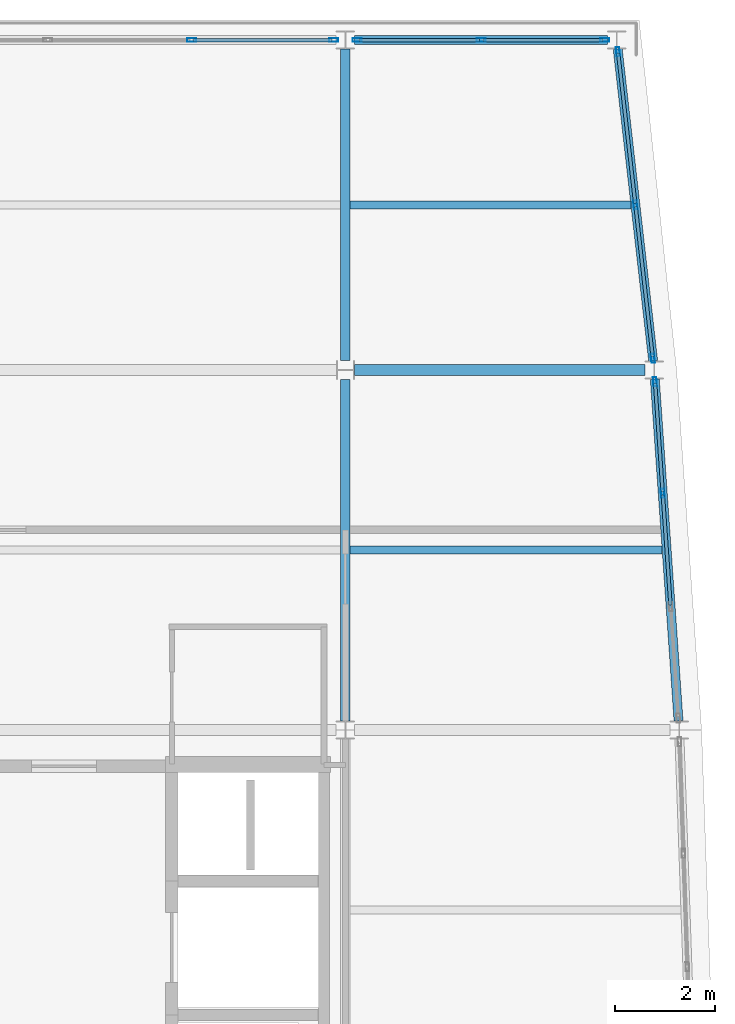
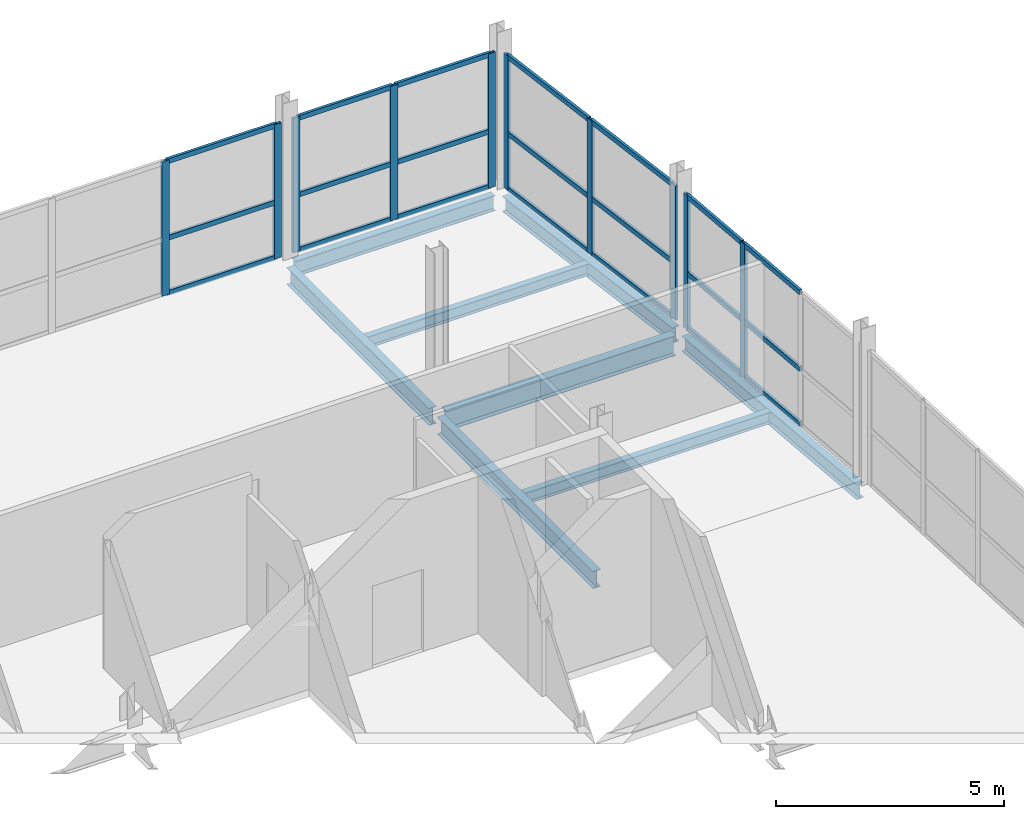
# One storey, part 9 of 16: 31 members, 8 beams, 4 elements without a shape of their own.
"""IFC4 building model written with IfcOpenShell, lengths in metres."""

from ifc_helpers import new_model, si_unit, direction, frame, origin, origin_2d, place, context, subcontext, project, spatial, hollow_rectangle, i_section, extrude, material, layer, layer_set, material_profile, profile_set, type_object, element, aggregate, save


model = new_model("IFC4")

# Units and contexts
model_context = context("Model", 3, precision=1e-05, world=origin(), true_north=direction((0.0, 1.0)))
body_context = subcontext(model_context, "Body", "Model", "MODEL_VIEW")
ifc_project = project(units=[si_unit("LENGTHUNIT", "METRE"), si_unit("AREAUNIT", "SQUARE_METRE"), si_unit("VOLUMEUNIT", "CUBIC_METRE"), si_unit("PLANEANGLEUNIT", "RADIAN"), si_unit("MASSUNIT", "GRAM", prefix="KILO")], contexts=[model_context])

# Site, building, storey
site_placement = place(None, origin())
site = spatial("IfcSite", under=ifc_project, at=site_placement, CompositionType="ELEMENT")
building_placement = place(site_placement, origin())
building = spatial("IfcBuilding", under=site, at=building_placement, Name="Quillay Park Conservatory", CompositionType="ELEMENT")
storey_placement = place(building_placement, frame((0.0, 0.0, 39.300048828125)))
storey = spatial("IfcBuildingStorey", under=building, at=storey_placement, Name="L09", CompositionType="ELEMENT", Elevation=39.300048828125)

# Beams
ifc_material_1 = material(Name="Steel ASTM A992 Grade 50", Category="steel")
ifc_material_profile_1 = material_profile(ifc_material_1, i_section(OverallWidth=0.166015625, OverallDepth=0.31298828125, WebThickness=0.006591796875, FlangeThickness=0.01123046875, FilletRadius=0.010009765625, at=origin_2d()), Name="W310x45")
ifc_profile_set_1 = profile_set([ifc_material_profile_1], Name="Steel ASTM A992 Grade 50")
beam_type_1 = type_object("IfcBeamType", Name="COMPOSITE FLOOR JOIST W310 X45", PredefinedType="JOIST", material=ifc_profile_set_1)
beam_1_placement = place(storey_placement, frame((19.845947265625, 103.199951171875, -0.3564453125), z_axis=(1.0, 0.0, 0.0), x_axis=(0.0, 1.0, 0.0)))
element("IfcBeam", 1, at=beam_1_placement, inside=storey, type_object=beam_type_1, Name="L09 beam BM-J-0701", PredefinedType="JOIST", context=body_context, shape_type="SweptSolid", body=[
    extrude(i_section(OverallWidth=0.166015625, OverallDepth=0.31298828125, WebThickness=0.006591796875, FlangeThickness=0.01123046875, FilletRadius=0.010009765625, at=origin_2d()), origin(), (0.0, 0.0, 1.0), 6.239013671875),
])
beam_2_placement = place(storey_placement, frame((19.845947265625, 110.10009765625, -0.3564453125), z_axis=(1.0, 0.0, 0.0), x_axis=(0.0, 1.0, 0.0)))
element("IfcBeam", 2, at=beam_2_placement, inside=storey, type_object=beam_type_1, Name="L09 beam BM-J-0708", PredefinedType="JOIST", context=body_context, shape_type="SweptSolid", body=[
    extrude(i_section(OverallWidth=0.166015625, OverallDepth=0.31298828125, WebThickness=0.006591796875, FlangeThickness=0.01123046875, FilletRadius=0.010009765625, at=origin_2d()), origin(), (0.0, 0.0, 1.0), 5.614013671875),
])

# Curtain wall, members
ifc_material_2 = material(Name="Thermally Broken Anodised Aluminium 6063-T6", Category="aluminium")
ifc_layer = layer(ifc_material_2, 0.179931640625)
ifc_layer_set = layer_set([ifc_layer], Name="UNITISED CURTAIN WALL TOWER (Thermally Broken Anodised Aluminium 6063-T6)")
curtain_wall_type = type_object("IfcCurtainWallType", Name="UNITISED CURTAIN WALL TOWER", PredefinedType="USERDEFINED", material=ifc_layer_set)
curtain_wall_1_placement = place(storey_placement, origin())
curtain_wall_1 = element("IfcCurtainWall", 3, at=curtain_wall_1_placement, inside=storey, type_object=curtain_wall_type, Name="L09 Unitised Curtain Wall 091", ObjectType="UNITISED CURTAIN WALL", PredefinedType="USERDEFINED")
ifc_material_3 = material(Name="Thermally Broken Anodised Aluminium 6063-T6", Category="aluminium")
ifc_material_profile_2 = material_profile(ifc_material_3, hollow_rectangle(XDim=0.070068359375, YDim=0.179931640625, WallThickness=0.00390625, at=origin_2d()), Name="AL70x180x4")
ifc_profile_set_2 = profile_set([ifc_material_profile_2], Name="Thermally Broken Anodised Aluminium 6063-T6")
member_type_1 = type_object("IfcMemberType", Name="CURTAIN WALL MULLION 70 X180", PredefinedType="MULLION", material=ifc_profile_set_2)
member_1_placement = place(storey_placement, frame((25.94140625, 106.565673828125, 0.0), z_axis=(0.0, 0.0, 1.0), x_axis=(0.99759835015, 0.069264217159, 0.0)))
member_1 = element("IfcMember", 4, at=member_1_placement, type_object=member_type_1, Name="CW-T1 mullion 1", PredefinedType="MULLION", context=body_context, shape_type="SweptSolid", body=[
    extrude(hollow_rectangle(XDim=0.070068359375, YDim=0.179931640625, WallThickness=0.00390625, at=origin_2d()), origin(), (0.0, 0.0, 1.0), 3.598876953125),
])
member_2_placement = place(storey_placement, frame((26.09619140625, 104.33349609375, 0.0), z_axis=(0.0, 0.0, 1.0), x_axis=(0.99759835015, 0.069264217159, 0.0)))
member_2 = element("IfcMember", 5, at=member_2_placement, type_object=member_type_1, Name="CW-T1 mullion 2", PredefinedType="MULLION", context=body_context, shape_type="SweptSolid", body=[
    extrude(hollow_rectangle(XDim=0.070068359375, YDim=0.179931640625, WallThickness=0.00390625, at=origin_2d()), origin(), (0.0, 0.0, 1.0), 3.598876953125),
])

curtain_wall_2_placement = place(storey_placement, origin())
curtain_wall_2 = element("IfcCurtainWall", 6, at=curtain_wall_2_placement, inside=storey, type_object=curtain_wall_type, Name="L09 Unitised Curtain Wall 092", ObjectType="UNITISED CURTAIN WALL", PredefinedType="USERDEFINED")
member_3_placement = place(storey_placement, frame((25.20166015625, 113.16650390625, 0.0), z_axis=(0.0, 0.0, 1.0), x_axis=(0.993605989969, 0.112903218278, 0.0)))
member_3 = element("IfcMember", 7, at=member_3_placement, type_object=member_type_1, Name="CW-T1 mullion 1", PredefinedType="MULLION", context=body_context, shape_type="SweptSolid", body=[
    extrude(hollow_rectangle(XDim=0.070068359375, YDim=0.179931640625, WallThickness=0.00390625, at=origin_2d()), origin(), (0.0, 0.0, 1.0), 3.598876953125),
])
member_4_placement = place(storey_placement, frame((25.550048828125, 110.10009765625, 0.0), z_axis=(0.0, 0.0, 1.0), x_axis=(0.993605989969, 0.112903218278, 0.0)))
member_4 = element("IfcMember", 8, at=member_4_placement, type_object=member_type_1, Name="CW-T1 mullion 2", PredefinedType="MULLION", context=body_context, shape_type="SweptSolid", body=[
    extrude(hollow_rectangle(XDim=0.070068359375, YDim=0.179931640625, WallThickness=0.00390625, at=origin_2d()), origin(), (0.0, 0.0, 1.0), 3.598876953125),
])
member_5_placement = place(storey_placement, frame((25.8984375, 107.033447265625, 0.0), z_axis=(0.0, 0.0, 1.0), x_axis=(0.993605989969, 0.112903218278, 0.0)))
member_5 = element("IfcMember", 9, at=member_5_placement, type_object=member_type_1, Name="CW-T1 mullion 3", PredefinedType="MULLION", context=body_context, shape_type="SweptSolid", body=[
    extrude(hollow_rectangle(XDim=0.070068359375, YDim=0.179931640625, WallThickness=0.00390625, at=origin_2d()), origin(), (0.0, 0.0, 1.0), 3.598876953125),
])

curtain_wall_3_placement = place(storey_placement, origin())
curtain_wall_3 = element("IfcCurtainWall", 10, at=curtain_wall_3_placement, inside=storey, type_object=curtain_wall_type, Name="L09 Unitised Curtain Wall 094", ObjectType="UNITISED CURTAIN WALL", PredefinedType="USERDEFINED")
member_6_placement = place(storey_placement, frame((16.675048828125, 113.39990234375, 0.0), z_axis=(0.0, 0.0, 1.0), x_axis=(0.0, 1.0, 0.0)))
member_6 = element("IfcMember", 11, at=member_6_placement, type_object=member_type_1, Name="CW-T1 mullion 4", PredefinedType="MULLION", context=body_context, shape_type="SweptSolid", body=[
    extrude(hollow_rectangle(XDim=0.070068359375, YDim=0.179931640625, WallThickness=0.00390625, at=origin_2d()), origin(), (0.0, 0.0, 1.0), 3.598876953125),
])
member_7_placement = place(storey_placement, frame((19.514892578125, 113.39990234375, 0.0), z_axis=(0.0, 0.0, 1.0), x_axis=(0.0, 1.0, 0.0)))
member_7 = element("IfcMember", 12, at=member_7_placement, type_object=member_type_1, Name="CW-T1 mullion 5", PredefinedType="MULLION", context=body_context, shape_type="SweptSolid", body=[
    extrude(hollow_rectangle(XDim=0.070068359375, YDim=0.179931640625, WallThickness=0.00390625, at=origin_2d()), origin(), (0.0, 0.0, 1.0), 3.598876953125),
])

curtain_wall_4_placement = place(storey_placement, origin())
curtain_wall_4 = element("IfcCurtainWall", 13, at=curtain_wall_4_placement, inside=storey, type_object=curtain_wall_type, Name="L09 Unitised Curtain Wall 095", ObjectType="UNITISED CURTAIN WALL", PredefinedType="USERDEFINED")
member_8_placement = place(storey_placement, frame((19.985107421875, 113.39990234375, 0.0), z_axis=(0.0, 0.0, 1.0), x_axis=(0.0, 1.0, 0.0)))
member_8 = element("IfcMember", 14, at=member_8_placement, type_object=member_type_1, Name="CW-T1 mullion 1", PredefinedType="MULLION", context=body_context, shape_type="SweptSolid", body=[
    extrude(hollow_rectangle(XDim=0.070068359375, YDim=0.179931640625, WallThickness=0.00390625, at=origin_2d()), origin(), (0.0, 0.0, 1.0), 3.598876953125),
])
member_9_placement = place(storey_placement, frame((22.46240234375, 113.39990234375, 0.0), z_axis=(0.0, 0.0, 1.0), x_axis=(0.0, 1.0, 0.0)))
member_9 = element("IfcMember", 15, at=member_9_placement, type_object=member_type_1, Name="CW-T1 mullion 2", PredefinedType="MULLION", context=body_context, shape_type="SweptSolid", body=[
    extrude(hollow_rectangle(XDim=0.070068359375, YDim=0.179931640625, WallThickness=0.00390625, at=origin_2d()), origin(), (0.0, 0.0, 1.0), 3.598876953125),
])
member_10_placement = place(storey_placement, frame((24.93994140625, 113.39990234375, 0.0), z_axis=(0.0, 0.0, 1.0), x_axis=(0.0, 1.0, 0.0)))
member_10 = element("IfcMember", 16, at=member_10_placement, type_object=member_type_1, Name="CW-T1 mullion 3", PredefinedType="MULLION", context=body_context, shape_type="SweptSolid", body=[
    extrude(hollow_rectangle(XDim=0.070068359375, YDim=0.179931640625, WallThickness=0.00390625, at=origin_2d()), origin(), (0.0, 0.0, 1.0), 3.598876953125),
])

# Member
ifc_material_4 = material(Name="Thermally Broken Anodised Aluminium 6063-T6", Category="aluminium")
ifc_material_profile_3 = material_profile(ifc_material_4, hollow_rectangle(XDim=0.070068359375, YDim=0.1298828125, WallThickness=0.003173828125, at=origin_2d()), Name="AL70x130x3.2")
ifc_profile_set_3 = profile_set([ifc_material_profile_3], Name="Thermally Broken Anodised Aluminium 6063-T6")
member_type_2 = type_object("IfcMemberType", Name="CURTAIN WALL TRANSOM 70 X130", PredefinedType="USERDEFINED", material=ifc_profile_set_3)
member_11_placement = place(storey_placement, frame((25.94384765625, 106.53076171875, 0.034912109375), z_axis=(0.069269814421, -0.997597961511, 0.0), x_axis=(0.997597961511, 0.069269814421, 0.0)))
member_11 = element("IfcMember", 17, at=member_11_placement, type_object=member_type_2, Name="CW-T1 transom 1.1", ObjectType="TRANSOM", PredefinedType="USERDEFINED", context=body_context, shape_type="SweptSolid", body=[
    extrude(hollow_rectangle(XDim=0.070068359375, YDim=0.1298828125, WallThickness=0.003173828125, at=origin_2d()), origin(), (0.0, 0.0, 1.0), 2.16748046875),
])

member_12_placement = place(storey_placement, frame((25.94384765625, 106.53076171875, 1.511474609375), z_axis=(0.069269814421, -0.997597961511, 0.0), x_axis=(0.997597961511, 0.069269814421, 0.0)))
member_12 = element("IfcMember", 18, at=member_12_placement, type_object=member_type_2, Name="CW-T1 transom 1.2", ObjectType="TRANSOM", PredefinedType="USERDEFINED", context=body_context, shape_type="SweptSolid", body=[
    extrude(hollow_rectangle(XDim=0.070068359375, YDim=0.1298828125, WallThickness=0.003173828125, at=origin_2d()), origin(), (0.0, 0.0, 1.0), 2.16748046875),
])

member_13_placement = place(storey_placement, frame((25.94384765625, 106.53076171875, 3.56396484375), z_axis=(0.069269814421, -0.997597961511, 0.0), x_axis=(0.997597961511, 0.069269814421, 0.0)))
member_13 = element("IfcMember", 19, at=member_13_placement, type_object=member_type_2, Name="CW-T1 transom 1.3", ObjectType="TRANSOM", PredefinedType="USERDEFINED", context=body_context, shape_type="SweptSolid", body=[
    extrude(hollow_rectangle(XDim=0.070068359375, YDim=0.1298828125, WallThickness=0.003173828125, at=origin_2d()), origin(), (0.0, 0.0, 1.0), 2.16748046875),
])

member_14_placement = place(storey_placement, frame((26.0986328125, 104.298583984375, 0.034912109375), z_axis=(0.069277598678, -0.997597420968, 0.0), x_axis=(0.997597420968, 0.069277598678, 0.0)))
member_14 = element("IfcMember", 20, at=member_14_placement, type_object=member_type_2, Name="CW-T1 transom 2.1", ObjectType="TRANSOM", PredefinedType="USERDEFINED", context=body_context, shape_type="SweptSolid", body=[
    extrude(hollow_rectangle(XDim=0.070068359375, YDim=0.1298828125, WallThickness=0.003173828125, at=origin_2d()), origin(), (0.0, 0.0, 1.0), 2.20263671875),
])

member_15_placement = place(storey_placement, frame((26.0986328125, 104.298583984375, 1.511474609375), z_axis=(0.069277598678, -0.997597420968, 0.0), x_axis=(0.997597420968, 0.069277598678, 0.0)))
member_15 = element("IfcMember", 21, at=member_15_placement, type_object=member_type_2, Name="CW-T1 transom 2.2", ObjectType="TRANSOM", PredefinedType="USERDEFINED", context=body_context, shape_type="SweptSolid", body=[
    extrude(hollow_rectangle(XDim=0.070068359375, YDim=0.1298828125, WallThickness=0.003173828125, at=origin_2d()), origin(), (0.0, 0.0, 1.0), 2.20263671875),
])

member_16_placement = place(storey_placement, frame((26.0986328125, 104.298583984375, 3.56396484375), z_axis=(0.069277598678, -0.997597420968, 0.0), x_axis=(0.997597420968, 0.069277598678, 0.0)))
member_16 = element("IfcMember", 22, at=member_16_placement, type_object=member_type_2, Name="CW-T1 transom 2.3", ObjectType="TRANSOM", PredefinedType="USERDEFINED", context=body_context, shape_type="SweptSolid", body=[
    extrude(hollow_rectangle(XDim=0.070068359375, YDim=0.1298828125, WallThickness=0.003173828125, at=origin_2d()), origin(), (0.0, 0.0, 1.0), 2.20263671875),
])

aggregate(curtain_wall_1, [member_1, member_2, member_11, member_12, member_13, member_14, member_15, member_16])

member_17_placement = place(storey_placement, frame((25.20556640625, 113.1318359375, 0.034912109375), z_axis=(0.112909688044, -0.99360525479, 0.0), x_axis=(0.99360525479, 0.112909688044, 0.0)))
member_17 = element("IfcMember", 23, at=member_17_placement, type_object=member_type_2, Name="CW-T1 transom 1.1", ObjectType="TRANSOM", PredefinedType="USERDEFINED", context=body_context, shape_type="SweptSolid", body=[
    extrude(hollow_rectangle(XDim=0.070068359375, YDim=0.1298828125, WallThickness=0.003173828125, at=origin_2d()), origin(), (0.0, 0.0, 1.0), 3.016357421875),
])

member_18_placement = place(storey_placement, frame((25.20556640625, 113.1318359375, 1.511474609375), z_axis=(0.112909688044, -0.99360525479, 0.0), x_axis=(0.99360525479, 0.112909688044, 0.0)))
member_18 = element("IfcMember", 24, at=member_18_placement, type_object=member_type_2, Name="CW-T1 transom 1.2", ObjectType="TRANSOM", PredefinedType="USERDEFINED", context=body_context, shape_type="SweptSolid", body=[
    extrude(hollow_rectangle(XDim=0.070068359375, YDim=0.1298828125, WallThickness=0.003173828125, at=origin_2d()), origin(), (0.0, 0.0, 1.0), 3.016357421875),
])

member_19_placement = place(storey_placement, frame((25.20556640625, 113.1318359375, 3.56396484375), z_axis=(0.112909688044, -0.99360525479, 0.0), x_axis=(0.99360525479, 0.112909688044, 0.0)))
member_19 = element("IfcMember", 25, at=member_19_placement, type_object=member_type_2, Name="CW-T1 transom 1.3", ObjectType="TRANSOM", PredefinedType="USERDEFINED", context=body_context, shape_type="SweptSolid", body=[
    extrude(hollow_rectangle(XDim=0.070068359375, YDim=0.1298828125, WallThickness=0.003173828125, at=origin_2d()), origin(), (0.0, 0.0, 1.0), 3.016357421875),
])

member_20_placement = place(storey_placement, frame((25.553955078125, 110.065185546875, 0.034912109375), z_axis=(0.112918769109, -0.993604222808, 0.0), x_axis=(0.993604222808, 0.112918769109, 0.0)))
member_20 = element("IfcMember", 26, at=member_20_placement, type_object=member_type_2, Name="CW-T1 transom 2.1", ObjectType="TRANSOM", PredefinedType="USERDEFINED", context=body_context, shape_type="SweptSolid", body=[
    extrude(hollow_rectangle(XDim=0.070068359375, YDim=0.1298828125, WallThickness=0.003173828125, at=origin_2d()), origin(), (0.0, 0.0, 1.0), 3.01611328125),
])

member_21_placement = place(storey_placement, frame((25.553955078125, 110.065185546875, 1.511474609375), z_axis=(0.112918769109, -0.993604222808, 0.0), x_axis=(0.993604222808, 0.112918769109, 0.0)))
member_21 = element("IfcMember", 27, at=member_21_placement, type_object=member_type_2, Name="CW-T1 transom 2.2", ObjectType="TRANSOM", PredefinedType="USERDEFINED", context=body_context, shape_type="SweptSolid", body=[
    extrude(hollow_rectangle(XDim=0.070068359375, YDim=0.1298828125, WallThickness=0.003173828125, at=origin_2d()), origin(), (0.0, 0.0, 1.0), 3.01611328125),
])

member_22_placement = place(storey_placement, frame((25.553955078125, 110.065185546875, 3.56396484375), z_axis=(0.112918769109, -0.993604222808, 0.0), x_axis=(0.993604222808, 0.112918769109, 0.0)))
member_22 = element("IfcMember", 28, at=member_22_placement, type_object=member_type_2, Name="CW-T1 transom 2.3", ObjectType="TRANSOM", PredefinedType="USERDEFINED", context=body_context, shape_type="SweptSolid", body=[
    extrude(hollow_rectangle(XDim=0.070068359375, YDim=0.1298828125, WallThickness=0.003173828125, at=origin_2d()), origin(), (0.0, 0.0, 1.0), 3.01611328125),
])

aggregate(curtain_wall_2, [member_3, member_4, member_5, member_17, member_18, member_19, member_20, member_21, member_22])

member_23_placement = place(storey_placement, frame((16.7099609375, 113.39990234375, 0.034912109375), z_axis=(1.0, 0.0, 0.0), x_axis=(0.0, 1.0, 0.0)))
member_23 = element("IfcMember", 29, at=member_23_placement, type_object=member_type_2, Name="CW-T1 transom 4.1", ObjectType="TRANSOM", PredefinedType="USERDEFINED", context=body_context, shape_type="SweptSolid", body=[
    extrude(hollow_rectangle(XDim=0.070068359375, YDim=0.1298828125, WallThickness=0.003173828125, at=origin_2d()), origin(), (0.0, 0.0, 1.0), 2.77001953125),
])

member_24_placement = place(storey_placement, frame((16.7099609375, 113.39990234375, 1.511474609375), z_axis=(1.0, 0.0, 0.0), x_axis=(0.0, 1.0, 0.0)))
member_24 = element("IfcMember", 30, at=member_24_placement, type_object=member_type_2, Name="CW-T1 transom 4.2", ObjectType="TRANSOM", PredefinedType="USERDEFINED", context=body_context, shape_type="SweptSolid", body=[
    extrude(hollow_rectangle(XDim=0.070068359375, YDim=0.1298828125, WallThickness=0.003173828125, at=origin_2d()), origin(), (0.0, 0.0, 1.0), 2.77001953125),
])

member_25_placement = place(storey_placement, frame((16.7099609375, 113.39990234375, 3.56396484375), z_axis=(1.0, 0.0, 0.0), x_axis=(0.0, 1.0, 0.0)))
member_25 = element("IfcMember", 31, at=member_25_placement, type_object=member_type_2, Name="CW-T1 transom 4.3", ObjectType="TRANSOM", PredefinedType="USERDEFINED", context=body_context, shape_type="SweptSolid", body=[
    extrude(hollow_rectangle(XDim=0.070068359375, YDim=0.1298828125, WallThickness=0.003173828125, at=origin_2d()), origin(), (0.0, 0.0, 1.0), 2.77001953125),
])

aggregate(curtain_wall_3, [member_6, member_7, member_23, member_24, member_25])

member_26_placement = place(storey_placement, frame((20.02001953125, 113.39990234375, 0.034912109375), z_axis=(1.0, 0.0, 0.0), x_axis=(0.0, 1.0, 0.0)))
member_26 = element("IfcMember", 32, at=member_26_placement, type_object=member_type_2, Name="CW-T1 transom 1.1", ObjectType="TRANSOM", PredefinedType="USERDEFINED", context=body_context, shape_type="SweptSolid", body=[
    extrude(hollow_rectangle(XDim=0.070068359375, YDim=0.1298828125, WallThickness=0.003173828125, at=origin_2d()), origin(), (0.0, 0.0, 1.0), 2.407470703125),
])

member_27_placement = place(storey_placement, frame((20.02001953125, 113.39990234375, 1.511474609375), z_axis=(1.0, 0.0, 0.0), x_axis=(0.0, 1.0, 0.0)))
member_27 = element("IfcMember", 33, at=member_27_placement, type_object=member_type_2, Name="CW-T1 transom 1.2", ObjectType="TRANSOM", PredefinedType="USERDEFINED", context=body_context, shape_type="SweptSolid", body=[
    extrude(hollow_rectangle(XDim=0.070068359375, YDim=0.1298828125, WallThickness=0.003173828125, at=origin_2d()), origin(), (0.0, 0.0, 1.0), 2.407470703125),
])

member_28_placement = place(storey_placement, frame((20.02001953125, 113.39990234375, 3.56396484375), z_axis=(1.0, 0.0, 0.0), x_axis=(0.0, 1.0, 0.0)))
member_28 = element("IfcMember", 34, at=member_28_placement, type_object=member_type_2, Name="CW-T1 transom 1.3", ObjectType="TRANSOM", PredefinedType="USERDEFINED", context=body_context, shape_type="SweptSolid", body=[
    extrude(hollow_rectangle(XDim=0.070068359375, YDim=0.1298828125, WallThickness=0.003173828125, at=origin_2d()), origin(), (0.0, 0.0, 1.0), 2.407470703125),
])

member_29_placement = place(storey_placement, frame((22.49755859375, 113.39990234375, 0.034912109375), z_axis=(1.0, 0.0, 0.0), x_axis=(0.0, 1.0, 0.0)))
member_29 = element("IfcMember", 35, at=member_29_placement, type_object=member_type_2, Name="CW-T1 transom 2.1", ObjectType="TRANSOM", PredefinedType="USERDEFINED", context=body_context, shape_type="SweptSolid", body=[
    extrude(hollow_rectangle(XDim=0.070068359375, YDim=0.1298828125, WallThickness=0.003173828125, at=origin_2d()), origin(), (0.0, 0.0, 1.0), 2.407470703125),
])

member_30_placement = place(storey_placement, frame((22.49755859375, 113.39990234375, 1.511474609375), z_axis=(1.0, 0.0, 0.0), x_axis=(0.0, 1.0, 0.0)))
member_30 = element("IfcMember", 36, at=member_30_placement, type_object=member_type_2, Name="CW-T1 transom 2.2", ObjectType="TRANSOM", PredefinedType="USERDEFINED", context=body_context, shape_type="SweptSolid", body=[
    extrude(hollow_rectangle(XDim=0.070068359375, YDim=0.1298828125, WallThickness=0.003173828125, at=origin_2d()), origin(), (0.0, 0.0, 1.0), 2.407470703125),
])

member_31_placement = place(storey_placement, frame((22.49755859375, 113.39990234375, 3.56396484375), z_axis=(1.0, 0.0, 0.0), x_axis=(0.0, 1.0, 0.0)))
member_31 = element("IfcMember", 37, at=member_31_placement, type_object=member_type_2, Name="CW-T1 transom 2.3", ObjectType="TRANSOM", PredefinedType="USERDEFINED", context=body_context, shape_type="SweptSolid", body=[
    extrude(hollow_rectangle(XDim=0.070068359375, YDim=0.1298828125, WallThickness=0.003173828125, at=origin_2d()), origin(), (0.0, 0.0, 1.0), 2.407470703125),
])

aggregate(curtain_wall_4, [member_8, member_9, member_10, member_26, member_27, member_28, member_29, member_30, member_31])

# Beams
ifc_material_5 = material(Name="Steel ASTM A992 Grade 50", Category="steel")
ifc_material_profile_4 = material_profile(ifc_material_5, i_section(OverallWidth=0.179931640625, OverallDepth=0.4130859375, WebThickness=0.009765625, FlangeThickness=0.01611328125, FilletRadius=0.011962890625, at=origin_2d()), Name="W410x74")
ifc_profile_set_4 = profile_set([ifc_material_profile_4], Name="Steel ASTM A992 Grade 50")
beam_type_2 = type_object("IfcBeamType", Name="PERIMETER SPANDREL BEAM W410 X74", PredefinedType="SPANDREL", material=ifc_profile_set_4)
beam_3_placement = place(storey_placement, frame((19.935546875, 113.39990234375, -0.406494140625), z_axis=(1.0, 0.0, 0.0), x_axis=(0.0, 1.0, 0.0)))
element("IfcBeam", 38, at=beam_3_placement, inside=storey, type_object=beam_type_2, Name="L09 beam BM-SP-0670", PredefinedType="SPANDREL", context=body_context, shape_type="SweptSolid", body=[
    extrude(i_section(OverallWidth=0.179931640625, OverallDepth=0.4130859375, WebThickness=0.009765625, FlangeThickness=0.01611328125, FilletRadius=0.011962890625, at=origin_2d()), origin(), (0.0, 0.0, 1.0), 5.053955078125),
])
beam_4_placement = place(storey_placement, frame((26.412353515625, 99.781494140625, -0.406494140625), z_axis=(-0.069287446563, 0.997596737038, 0.0), x_axis=(-0.997596737038, -0.069287446563, 0.0)))
element("IfcBeam", 39, at=beam_4_placement, inside=storey, type_object=beam_type_2, Name="L09 beam BM-SPE-0697", PredefinedType="SPANDREL", context=body_context, shape_type="SweptSolid", body=[
    extrude(i_section(OverallWidth=0.179931640625, OverallDepth=0.4130859375, WebThickness=0.009765625, FlangeThickness=0.01611328125, FilletRadius=0.011962890625, at=origin_2d()), origin(), (0.0, 0.0, 1.0), 6.853271484375),
])
beam_5_placement = place(storey_placement, frame((25.904541015625, 106.980712890625, -0.406494140625), z_axis=(-0.112919285123, 0.993604164166, 0.0), x_axis=(-0.993604164166, -0.112919285123, 0.0)))
element("IfcBeam", 40, at=beam_5_placement, inside=storey, type_object=beam_type_2, Name="L09 beam BM-SPE-0704", PredefinedType="SPANDREL", context=body_context, shape_type="SweptSolid", body=[
    extrude(i_section(OverallWidth=0.179931640625, OverallDepth=0.4130859375, WebThickness=0.009765625, FlangeThickness=0.01611328125, FilletRadius=0.011962890625, at=origin_2d()), origin(), (0.0, 0.0, 1.0), 6.278564453125),
])
ifc_material_6 = material(Name="Steel ASTM A992 Grade 50", Category="steel")
ifc_material_profile_5 = material_profile(ifc_material_6, i_section(OverallWidth=0.19189453125, OverallDepth=0.462890625, WebThickness=0.010498046875, FlangeThickness=0.017578125, FilletRadius=0.012939453125, at=origin_2d()), Name="W460x89")
ifc_profile_set_5 = profile_set([ifc_material_profile_5], Name="Steel ASTM A992 Grade 50")
beam_type_3 = type_object("IfcBeamType", Name="PRIMARY FLOOR GIRDER W460 X89", PredefinedType="BEAM", material=ifc_profile_set_5)
beam_6_placement = place(storey_placement, frame((19.75, 99.781982421875, -0.431640625), z_axis=(0.0, 1.0, 0.0), x_axis=(-1.0, 0.0, 0.0)))
element("IfcBeam", 41, at=beam_6_placement, inside=storey, type_object=beam_type_3, Name="L09 beam BM-GNS-0699", PredefinedType="BEAM", context=body_context, shape_type="SweptSolid", body=[
    extrude(i_section(OverallWidth=0.19189453125, OverallDepth=0.462890625, WebThickness=0.010498046875, FlangeThickness=0.017578125, FilletRadius=0.012939453125, at=origin_2d()), origin(), (0.0, 0.0, 1.0), 6.83251953125),
])
beam_7_placement = place(storey_placement, frame((19.75, 106.985595703125, -0.431640625), z_axis=(0.0, 1.0, 0.0), x_axis=(-1.0, 0.0, 0.0)))
element("IfcBeam", 42, at=beam_7_placement, inside=storey, type_object=beam_type_3, Name="L09 beam BM-GNS-0706", PredefinedType="BEAM", context=body_context, shape_type="SweptSolid", body=[
    extrude(i_section(OverallWidth=0.19189453125, OverallDepth=0.462890625, WebThickness=0.010498046875, FlangeThickness=0.017578125, FilletRadius=0.012939453125, at=origin_2d()), origin(), (0.0, 0.0, 1.0), 6.232421875),
])
ifc_material_7 = material(Name="Steel ASTM A992 Grade 50", Category="steel")
ifc_material_profile_6 = material_profile(ifc_material_7, i_section(OverallWidth=0.2109375, OverallDepth=0.5390625, WebThickness=0.01171875, FlangeThickness=0.018798828125, FilletRadius=0.013916015625, at=origin_2d()), Name="W530x109")
ifc_profile_set_6 = profile_set([ifc_material_profile_6], Name="Steel ASTM A992 Grade 50")
beam_type_4 = type_object("IfcBeamType", Name="PRIMARY FLOOR GIRDER W530 X109", PredefinedType="BEAM", material=ifc_profile_set_6)
beam_8_placement = place(storey_placement, frame((19.931884765625, 106.800048828125, -0.469482421875), z_axis=(1.0, 0.0, 0.0), x_axis=(0.0, 1.0, 0.0)))
element("IfcBeam", 43, at=beam_8_placement, inside=storey, type_object=beam_type_4, Name="L09 beam BM-G-0667", PredefinedType="BEAM", context=body_context, shape_type="SweptSolid", body=[
    extrude(i_section(OverallWidth=0.2109375, OverallDepth=0.5390625, WebThickness=0.01171875, FlangeThickness=0.018798828125, FilletRadius=0.013916015625, at=origin_2d()), origin(), (0.0, 0.0, 1.0), 5.8076171875),
])

save(model, "model.ifc")
